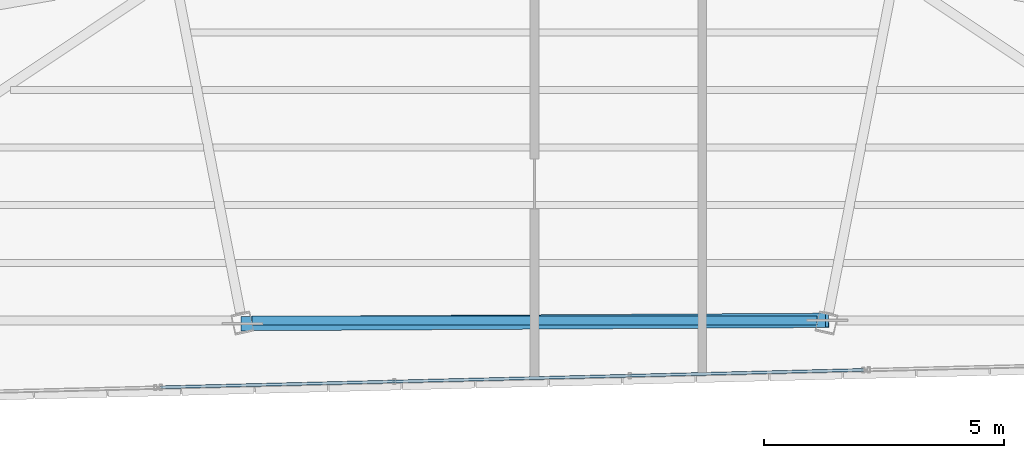
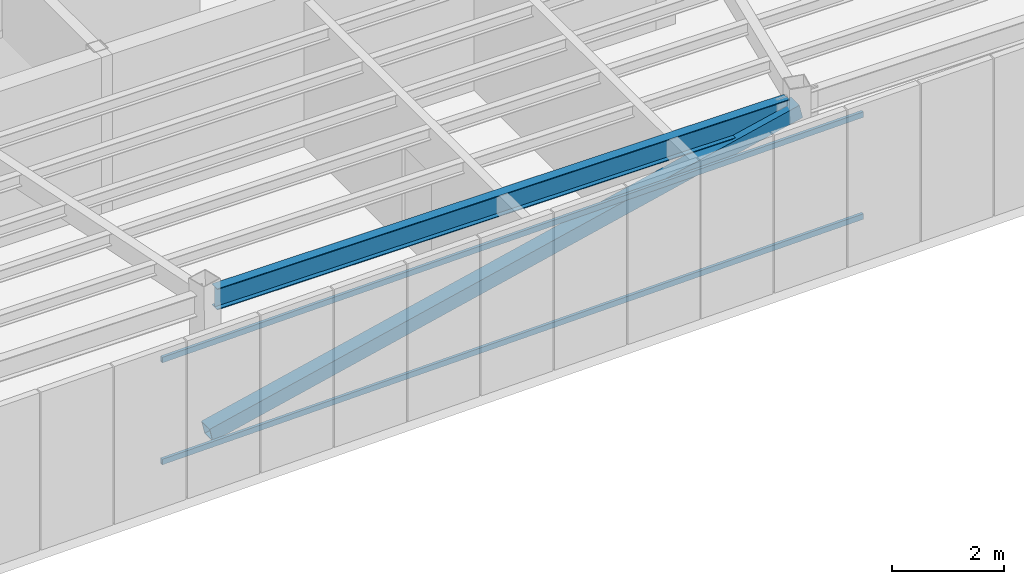
# One storey, part 12 of 44: 3 members, 1 beam, 1 element without a shape of its own.
"""IFC4 building model written with IfcOpenShell, lengths in metres."""

from ifc_helpers import new_model, si_unit, direction, frame, origin, origin_2d, place, context, subcontext, project, spatial, hollow_rectangle, i_section, extrude, source, transform, mapped, material, material_profile, profile_set, type_object, type_shapes, element, aggregate, save


model = new_model("IFC4")

# Units and contexts
model_context = context("Model", 3, precision=1e-05, world=origin(), true_north=direction((0.0, 1.0)))
body_context = subcontext(model_context, "Body", "Model", "MODEL_VIEW")
ifc_project = project(units=[si_unit("LENGTHUNIT", "METRE"), si_unit("AREAUNIT", "SQUARE_METRE"), si_unit("VOLUMEUNIT", "CUBIC_METRE"), si_unit("PLANEANGLEUNIT", "RADIAN"), si_unit("MASSUNIT", "GRAM", prefix="KILO")], contexts=[model_context])

# Site, building, storey
site_placement = place(None, origin())
site = spatial("IfcSite", under=ifc_project, at=site_placement, CompositionType="ELEMENT")
building_placement = place(site_placement, origin())
building = spatial("IfcBuilding", under=site, at=building_placement, Name="Caelisora Broadcast Tower", CompositionType="ELEMENT")
storey_placement = place(building_placement, frame((0.0, 0.0, 296.60009765625)))
storey = spatial("IfcBuildingStorey", under=building, at=storey_placement, Name="L78", CompositionType="ELEMENT", Elevation=296.60009765625)

# Beam
ifc_material_1 = material(Name="Steel Grade 350 (AS/NZS 3679.1)", Category="steel")
ifc_material_profile_1 = material_profile(ifc_material_1, i_section(OverallWidth=0.19091796875, OverallDepth=0.46044921875, WebThickness=0.010009765625, FlangeThickness=0.01611328125, at=origin_2d()), Name="Steel Grade 350 (AS/NZS 3679.1)")
ifc_profile_set_1 = profile_set([ifc_material_profile_1], Name="Steel Grade 350 (AS/NZS 3679.1)")
beam_type = type_object("IfcBeamType", Name="PG06", PredefinedType="BEAM", material=ifc_profile_set_1)
shared_shape_1 = source(origin(), body_context, "Body", "SweptSolid", [
    extrude(i_section(OverallWidth=0.19091796875, OverallDepth=0.46044921875, WebThickness=0.010009765625, FlangeThickness=0.01611328125, at=origin_2d()), origin(), (0.0, 0.0, 1.0), 11.78466796875),
])
type_shapes(beam_type, [shared_shape_1])
beam_placement = place(storey_placement, frame((32.107666015625, 10.195556640625, 2.919677734375), z_axis=(1.0, 0.0, 0.0), x_axis=(0.0, 1.0, 0.0)))
element("IfcBeam", 1, at=beam_placement, inside=storey, type_object=beam_type, Name="L78 beam PG06", PredefinedType="BEAM", context=body_context, shape_type="MappedRepresentation", body=[
    mapped(shared_shape_1, transform((0.0, 0.0, 0.0), scale=1.0)),
])

# Member
ifc_material_2 = material(Name="Steel Grade 450 (AS/NZS 1163 C450L0)", Category="steel")
ifc_material_profile_2 = material_profile(ifc_material_2, hollow_rectangle(XDim=0.300048828125, YDim=0.300048828125, WallThickness=0.012451171875, at=origin_2d()), Name="Steel Grade 450 (AS/NZS 1163 C450L0)")
ifc_profile_set_2 = profile_set([ifc_material_profile_2], Name="Steel Grade 450 (AS/NZS 1163 C450L0)")
member_type_1 = type_object("IfcMemberType", Name="BR06", PredefinedType="BRACE", material=ifc_profile_set_2)
shared_shape_2 = source(origin(), body_context, "Body", "SweptSolid", [
    extrude(hollow_rectangle(XDim=0.300048828125, YDim=0.300048828125, WallThickness=0.012451171875, at=origin_2d()), origin(), (0.0, 0.0, 1.0), 12.4921875),
])
type_shapes(member_type_1, [shared_shape_2])
member_1_placement = place(storey_placement, frame((31.914794921875, 10.128173828125, 0.099853515625), z_axis=(0.975453894214, 0.005393998934, 0.220137695633), x_axis=(-0.005529647787, 0.999984711381, 0.0)))
element("IfcMember", 2, at=member_1_placement, inside=storey, type_object=member_type_1, Name="L78 perimeter brace BR06", PredefinedType="BRACE", context=body_context, shape_type="MappedRepresentation", body=[
    mapped(shared_shape_2, transform((0.0, 0.0, 0.0), scale=1.0)),
])

# Curtain wall, members
ifc_material_3 = material(Name="Unitised Aluminium Insulated Shadow-Box Spandrel Curtain Wall", Category="aluminium")
curtain_wall_type = type_object("IfcCurtainWallType", Name="CW-SP3", PredefinedType="NOTDEFINED", material=ifc_material_3)
curtain_wall_placement = place(storey_placement, origin())
curtain_wall = element("IfcCurtainWall", 3, at=curtain_wall_placement, inside=storey, type_object=curtain_wall_type, Name="L78 curtain wall CW-SP3", PredefinedType="NOTDEFINED")
ifc_material_4 = material(Name="Aluminium 6063-T6 Anodised Terracotta Bronze", Category="aluminium")
ifc_material_profile_3 = material_profile(ifc_material_4, hollow_rectangle(XDim=0.06005859375, YDim=0.1201171875, WallThickness=0.0029296875, at=origin_2d()), Name="Aluminium 6063-T6 Anodised Terracotta Bronze")
ifc_profile_set_3 = profile_set([ifc_material_profile_3], Name="Aluminium 6063-T6 Anodised Terracotta Bronze")
member_type_2 = type_object("IfcMemberType", Name="CWT-03", PredefinedType="USERDEFINED", material=ifc_profile_set_3)
shared_shape_3 = source(origin(), body_context, "Body", "SweptSolid", [
    extrude(hollow_rectangle(XDim=0.06005859375, YDim=0.1201171875, WallThickness=0.0029296875, at=origin_2d()), origin(), (0.0, 0.0, 1.0), 14.65283203125),
])
type_shapes(member_type_2, [shared_shape_3])
member_2_placement = place(storey_placement, frame((44.855712890625, 9.16259765625, 0.849853515625), z_axis=(-0.999694271373, -0.024725771645, 0.0), x_axis=(0.024725771645, -0.999694271373, 0.0)))
member_2 = element("IfcMember", 4, at=member_2_placement, type_object=member_type_2, Name="L78-CW-B06 transom #1", ObjectType="TRANSOM", PredefinedType="USERDEFINED", context=body_context, shape_type="MappedRepresentation", body=[
    mapped(shared_shape_3, transform((0.0, 0.0, 0.0), scale=1.0)),
])
member_3_placement = place(storey_placement, frame((44.855712890625, 9.16259765625, 3.06982421875), z_axis=(-0.999694271373, -0.024725771645, 0.0), x_axis=(0.024725771645, -0.999694271373, 0.0)))
member_3 = element("IfcMember", 5, at=member_3_placement, type_object=member_type_2, Name="L78-CW-B06 transom #2", ObjectType="TRANSOM", PredefinedType="USERDEFINED", context=body_context, shape_type="MappedRepresentation", body=[
    mapped(shared_shape_3, transform((0.0, 0.0, 0.0), scale=1.0)),
])
aggregate(curtain_wall, [member_2, member_3])

save(model, "model.ifc")
